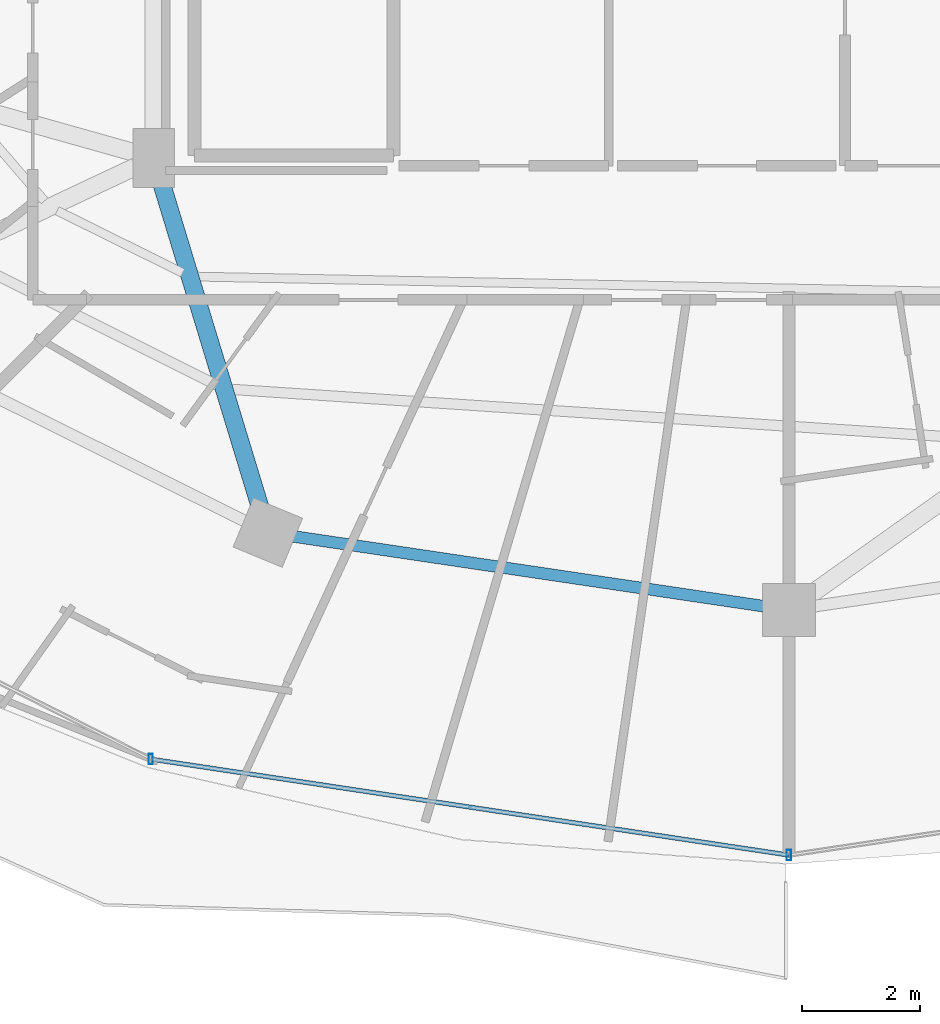
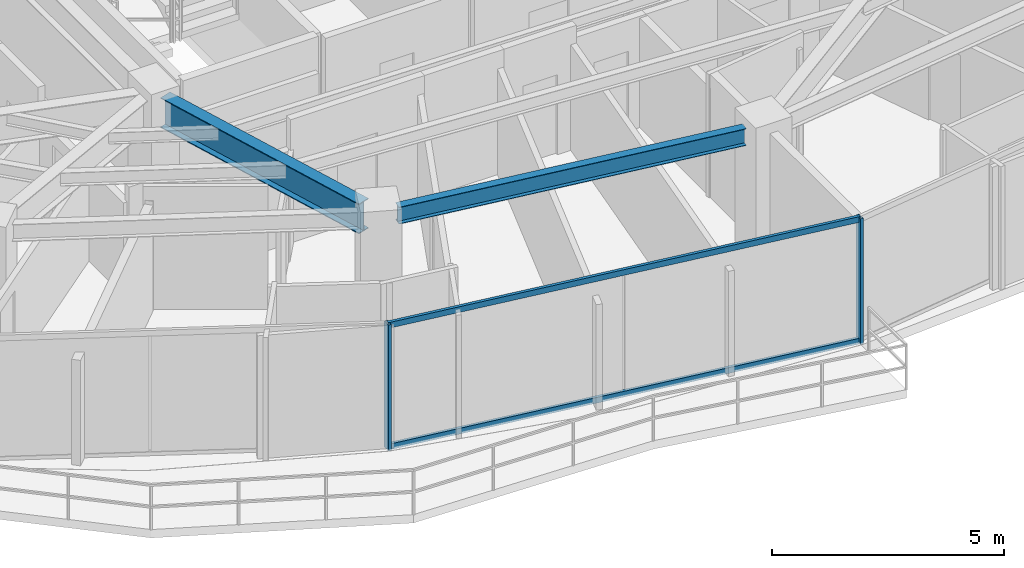
# One storey, part 5 of 34: 4 members, 2 beams, 1 element without a shape of its own.
"""IFC4 building model written with IfcOpenShell, lengths in metres."""

import ifcopenshell
import ifcopenshell.guid

model = None  # the IFC model being written
_history = None  # IfcOwnerHistory: only IFC2X3 demands one
_inside = {}  # id of a spatial element -> (the spatial element, [elements in it])
_under = {}  # id of a project, library or spatial element -> (it, [spatial elements below it])
_declared = {}  # id of a project -> (the project, [libraries it declares])
_typed = {}  # id of a type object -> (the type object, [elements of that type])
_made_of = {}  # id of a material, layer set ... -> (it, [elements and type objects made of it])


def new_model(schema):
    """Start an empty IFC model of exactly this schema.

    Asked for "IFC4X3", IfcOpenShell would pick the latest addendum, in which some entities
    have other attributes; the version numbers below select the first issue.
    IFC2X3 requires an IfcOwnerHistory on every rooted entity: one is made here for all.
    """
    global model, _history
    if schema == "IFC4X3":
        model = ifcopenshell.file(schema_version=(4, 3, 0, 0))
    else:
        model = ifcopenshell.file(schema=schema)
    _inside.clear()
    _under.clear()
    _declared.clear()
    _typed.clear()
    _made_of.clear()
    _history = None
    if model.schema == "IFC2X3":
        org = make("IfcOrganization", Name="unknown")
        user = make(
            "IfcPersonAndOrganization",
            ThePerson=make("IfcPerson", FamilyName="unknown"),
            TheOrganization=org,
        )
        app = make(
            "IfcApplication",
            ApplicationDeveloper=org,
            Version="unknown",
            ApplicationFullName="unknown",
            ApplicationIdentifier="unknown",
        )
        _history = make(
            "IfcOwnerHistory",
            OwningUser=user,
            OwningApplication=app,
            ChangeAction="ADDED",
            CreationDate=0,
        )
    return model


def make(cls, **values):
    """One entity of the class cls with the attributes given. An attribute that is None is left unset."""
    return model.create_entity(
        cls, **{name: value for name, value in values.items() if value is not None}
    )


def rooted(cls, **values):
    """An entity with a GlobalId (a new one), such as an element, a storey or a relation."""
    return make(cls, GlobalId=ifcopenshell.guid.new(), OwnerHistory=_history, **values)


def si_unit(unit_type, name, prefix=None):
    """IfcSIUnit, for example si_unit("LENGTHUNIT", "METRE", prefix="MILLI")."""
    return make("IfcSIUnit", UnitType=unit_type, Prefix=prefix, Name=name)


def assignment(units):
    """IfcUnitAssignment: the units of a project."""
    return None if units is None else make("IfcUnitAssignment", Units=units)


def point(xyz):
    """IfcCartesianPoint."""
    return None if xyz is None else make("IfcCartesianPoint", Coordinates=xyz)


def direction(xyz):
    """IfcDirection."""
    return None if xyz is None else make("IfcDirection", DirectionRatios=xyz)


def frame(location, z_axis=None, x_axis=None):
    """IfcAxis2Placement3D, a coordinate frame: its origin and axes. An axis left out is left unset."""
    return make(
        "IfcAxis2Placement3D",
        Location=point(location),
        Axis=direction(z_axis),
        RefDirection=direction(x_axis),
    )


def frame_2d(location, x_axis=None):
    """IfcAxis2Placement2D, a coordinate frame in the plane: its origin and x axis."""
    return make(
        "IfcAxis2Placement2D", Location=point(location), RefDirection=direction(x_axis)
    )


def origin():
    """The frame at (0, 0, 0) with its axes left unset."""
    return frame((0.0, 0.0, 0.0))


def origin_2d():
    """The frame at (0, 0) in the plane with its x axis left unset."""
    return frame_2d((0.0, 0.0))


def place(relative_to, where):
    """IfcLocalPlacement: puts the frame where relative to a parent placement (None: the world)."""
    return make(
        "IfcLocalPlacement", PlacementRelTo=relative_to, RelativePlacement=where
    )


def context(
    kind, dimensions, precision=None, world=None, true_north=None, identifier=None
):
    """IfcGeometricRepresentationContext, for example the 3D "Model" context."""
    return make(
        "IfcGeometricRepresentationContext",
        ContextIdentifier=identifier,
        ContextType=kind,
        CoordinateSpaceDimension=dimensions,
        Precision=precision,
        WorldCoordinateSystem=world,
        TrueNorth=true_north,
    )


def subcontext(parent, identifier, kind, view, scale=None):
    """IfcGeometricRepresentationSubContext, for example "Body" below "Model"."""
    return make(
        "IfcGeometricRepresentationSubContext",
        ContextIdentifier=identifier,
        ContextType=kind,
        ParentContext=parent,
        TargetScale=scale,
        TargetView=view,
    )


def project(units=None, contexts=None):
    """IfcProject with its units and contexts."""
    return rooted(
        "IfcProject",
        Name="project",
        RepresentationContexts=contexts,
        UnitsInContext=assignment(units),
    )


def spatial(cls, under=None, at=None, **own):
    """A site, building, storey or space (cls), placed at a placement, below another one or the project."""
    s = rooted(cls, ObjectPlacement=at, **own)
    if under is not None:
        _under.setdefault(under.id(), (under, []))[1].append(s)
    return s


def profile(cls, at=None, kind="AREA", **sizes):
    """A parametric profile (cls). Its sizes go by their IFC names, for example OverallWidth=200.0."""
    return make(cls, ProfileType=kind, Position=at, **sizes)


def hollow_rectangle(**sizes):
    """IfcRectangleHollowProfileDef."""
    return profile("IfcRectangleHollowProfileDef", **sizes)


def i_section(**sizes):
    """IfcIShapeProfileDef."""
    return profile("IfcIShapeProfileDef", **sizes)


def extrude(swept, where, along, depth):
    """IfcExtrudedAreaSolid: the profile swept, set in the frame where, extruded along a direction by depth."""
    return make(
        "IfcExtrudedAreaSolid",
        SweptArea=swept,
        Position=where,
        ExtrudedDirection=direction(along),
        Depth=depth,
    )


def shape(context_of_items, identifier, shape_type, items):
    """IfcShapeRepresentation: the items that make up one representation, for example the "Body"."""
    return make(
        "IfcShapeRepresentation",
        ContextOfItems=context_of_items,
        RepresentationIdentifier=identifier,
        RepresentationType=shape_type,
        Items=items,
    )


def material(Name=None, Category=None):
    """IfcMaterial."""
    return make("IfcMaterial", Name=Name, Category=Category)


def material_profile(
    of_material, cross_section, Name=None, Category=None, Priority=None
):
    """IfcMaterialProfile: a cross section and its material."""
    return make(
        "IfcMaterialProfile",
        Name=Name,
        Material=of_material,
        Profile=cross_section,
        Priority=Priority,
        Category=Category,
    )


def profile_set(profiles, Name=None, composite=None):
    """IfcMaterialProfileSet."""
    return make(
        "IfcMaterialProfileSet",
        Name=Name,
        MaterialProfiles=profiles,
        CompositeProfile=composite,
    )


def made_of(thing, what):
    """Note that an element or type object is made of a material, layer set ...; save() writes the relation."""
    if what is not None:
        _made_of.setdefault(what.id(), (what, []))[1].append(thing)
    return thing


def type_object(cls, material=None, **own):
    """A type object (cls), such as IfcWallType, which elements share."""
    return made_of(rooted(cls, **own), material)


def element(
    cls,
    number,
    at=None,
    inside=None,
    cuts=None,
    type_object=None,
    material=None,
    context=None,
    identifier="Body",
    shape_type=None,
    held_by="IfcProductDefinitionShape",
    body=None,
    shapes=None,
    **own,
):
    """One element of the class cls, such as IfcWall. Its Tag is "e" and its number.

    at: its placement. inside: the storey or other place that contains it. cuts: it is an
    opening in that element (IfcRelVoidsElement). A single representation is given by context,
    identifier, shape_type and body (its items); several are given by shapes. held_by: the class
    of the entity that holds the representations. save() writes the other relations.
    """
    e = rooted(cls, Tag="e%d" % number, ObjectPlacement=at, **own)
    if body is not None:
        shapes = [shape(context, identifier, shape_type, body)]
    if shapes is not None:
        e.Representation = make(held_by, Representations=shapes)
    if inside is not None:
        _inside.setdefault(inside.id(), (inside, []))[1].append(e)
    if cuts is not None:
        rooted(
            "IfcRelVoidsElement", RelatingBuildingElement=cuts, RelatedOpeningElement=e
        )
    if type_object is not None:
        _typed.setdefault(type_object.id(), (type_object, []))[1].append(e)
    return made_of(e, material)


def aggregate(whole, parts):
    """IfcRelAggregates: a whole, such as a stair, and the parts it consists of."""
    return rooted("IfcRelAggregates", RelatingObject=whole, RelatedObjects=parts)


def save(model, path):
    """Write the relations noted so far, then the file.

    IfcRelAggregates (storeys below a building ...), IfcRelContainedInSpatialStructure (elements
    in a storey), IfcRelDefinesByType, IfcRelAssociatesMaterial and IfcRelDeclares: one each for
    every whole, place, type object, material and project.
    """
    for whole, parts in _under.values():
        aggregate(whole, parts)
    for where, things in _inside.values():
        rooted(
            "IfcRelContainedInSpatialStructure",
            RelatedElements=things,
            RelatingStructure=where,
        )
    for kind, things in _typed.values():
        rooted("IfcRelDefinesByType", RelatedObjects=things, RelatingType=kind)
    for what, things in _made_of.values():
        rooted("IfcRelAssociatesMaterial", RelatedObjects=things, RelatingMaterial=what)
    for by, libraries in _declared.values():
        rooted("IfcRelDeclares", RelatingContext=by, RelatedDefinitions=libraries)
    model.write(path)


model = new_model("IFC4")

# Units and contexts
model_context = context("Model", 3, precision=1e-05, world=origin(), true_north=direction((0.0, 1.0)))
body_context = subcontext(model_context, "Body", "Model", "MODEL_VIEW")
ifc_project = project(units=[si_unit("LENGTHUNIT", "METRE"), si_unit("AREAUNIT", "SQUARE_METRE"), si_unit("VOLUMEUNIT", "CUBIC_METRE"), si_unit("PLANEANGLEUNIT", "RADIAN"), si_unit("MASSUNIT", "GRAM", prefix="KILO")], contexts=[model_context])

# Site, building, storey
site_placement = place(None, origin())
site = spatial("IfcSite", under=ifc_project, at=site_placement, CompositionType="ELEMENT")
building_placement = place(site_placement, origin())
building = spatial("IfcBuilding", under=site, at=building_placement, Name="Vorneva Point Tower", CompositionType="ELEMENT")
storey_placement = place(building_placement, frame((0.0, 0.0, 186.10009765625)))
storey = spatial("IfcBuildingStorey", under=building, at=storey_placement, Name="L50", CompositionType="ELEMENT", Elevation=186.10009765625)

# Beams
ifc_material_1 = material(Name="Steel S355", Category="steel")
ifc_material_profile_1 = material_profile(ifc_material_1, i_section(OverallWidth=0.300048828125, OverallDepth=0.7880859375, WebThickness=0.014404296875, FlangeThickness=0.02197265625, at=origin_2d()), Name="80Sh1")
ifc_profile_set_1 = profile_set([ifc_material_profile_1], Name="Steel S355")
beam_type_1 = type_object("IfcBeamType", Name="BM-GRD-80Sh1", PredefinedType="USERDEFINED", material=ifc_profile_set_1)
beam_1_placement = place(storey_placement, frame((29.051513671875, 10.5283203125, 2.845947265625), z_axis=(-0.291025429135, 0.956715317948, 0.0), x_axis=(-0.956715317948, -0.291025429135, 0.0)))
element("IfcBeam", 1, at=beam_1_placement, inside=storey, type_object=beam_type_1, Name="L50 Radial Primary Girder 12", ObjectType="GIRDER", PredefinedType="USERDEFINED", context=body_context, shape_type="SweptSolid", body=[
    extrude(i_section(OverallWidth=0.300048828125, OverallDepth=0.7880859375, WebThickness=0.014404296875, FlangeThickness=0.02197265625, at=origin_2d()), origin(), (0.0, 0.0, 1.0), 5.849609375),
])
ifc_material_profile_2 = material_profile(ifc_material_1, i_section(OverallWidth=0.198974609375, OverallDepth=0.446044921875, WebThickness=0.008056640625, FlangeThickness=0.011962890625, at=origin_2d()), Name="45B1")
ifc_profile_set_2 = profile_set([ifc_material_profile_2], Name="Steel S355")
beam_type_2 = type_object("IfcBeamType", Name="BM-SPN-45B1", PredefinedType="SPANDREL", material=ifc_profile_set_2)
beam_2_placement = place(storey_placement, frame((29.609375, 10.04541015625, 3.016845703125), z_axis=(0.989165476332, -0.146804837907, 0.0), x_axis=(0.146804837907, 0.989165476332, 0.0)))
element("IfcBeam", 2, at=beam_2_placement, inside=storey, type_object=beam_type_2, Name="L50 Perimeter Spandrel Ring Beam 12", PredefinedType="SPANDREL", context=body_context, shape_type="SweptSolid", body=[
    extrude(i_section(OverallWidth=0.198974609375, OverallDepth=0.446044921875, WebThickness=0.008056640625, FlangeThickness=0.011962890625, at=origin_2d()), origin(), (0.0, 0.0, 1.0), 8.04736328125),
])

# Curtain wall, members
ifc_material_2 = material(Name="Pale anodised aluminium", Category="aluminium")
curtain_wall_type = type_object("IfcCurtainWallType", Name="CW-RES-SYS", PredefinedType="NOTDEFINED", material=ifc_material_2)
curtain_wall_placement = place(storey_placement, origin())
curtain_wall = element("IfcCurtainWall", 3, at=curtain_wall_placement, inside=storey, type_object=curtain_wall_type, Name="L50 Unitised Curtain Wall CW-L50-R03", PredefinedType="NOTDEFINED")
ifc_material_profile_3 = material_profile(ifc_material_2, hollow_rectangle(XDim=0.074951171875, YDim=0.179931640625, WallThickness=0.00390625, at=origin_2d()), Name="AL-MUL 180x75x4")
ifc_profile_set_3 = profile_set([ifc_material_profile_3], Name="Pale anodised aluminium")
member_type_1 = type_object("IfcMemberType", Name="CW-MUL-180", PredefinedType="MULLION", material=ifc_profile_set_3)
member_1_placement = place(storey_placement, frame((27.19677734375, 6.275146484375, -0.0400390625), z_axis=(0.0, 0.0, 1.0), x_axis=(1.0, 0.0, 0.0)))
member_1 = element("IfcMember", 4, at=member_1_placement, type_object=member_type_1, Name="CW-L50-R03 Mullion 03", PredefinedType="MULLION", context=body_context, shape_type="SweptSolid", body=[
    extrude(hollow_rectangle(XDim=0.074951171875, YDim=0.179931640625, WallThickness=0.00390625, at=origin_2d()), origin(), (0.0, 0.0, 1.0), 3.31005859375),
])
member_2_placement = place(storey_placement, frame((38.0, 4.64990234375, -0.0400390625), z_axis=(0.0, 0.0, 1.0), x_axis=(1.0, 0.0, 0.0)))
member_2 = element("IfcMember", 5, at=member_2_placement, type_object=member_type_1, Name="CW-L50-R03 Mullion 04", PredefinedType="MULLION", context=body_context, shape_type="SweptSolid", body=[
    extrude(hollow_rectangle(XDim=0.074951171875, YDim=0.179931640625, WallThickness=0.00390625, at=origin_2d()), origin(), (0.0, 0.0, 1.0), 3.31005859375),
])
ifc_material_profile_4 = material_profile(ifc_material_2, hollow_rectangle(XDim=0.074951171875, YDim=0.14990234375, WallThickness=0.00390625, at=origin_2d()), Name="AL-TRN 150x75x4")
ifc_profile_set_4 = profile_set([ifc_material_profile_4], Name="Pale anodised aluminium")
member_type_2 = type_object("IfcMemberType", Name="CW-TRN-150", PredefinedType="USERDEFINED", material=ifc_profile_set_4)
member_3_placement = place(storey_placement, frame((27.19677734375, 6.275146484375, 0.02001953125), z_axis=(0.988872333273, -0.148766624239, 0.0), x_axis=(0.148766624239, 0.988872333273, 0.0)))
member_3 = element("IfcMember", 6, at=member_3_placement, type_object=member_type_2, Name="CW-L50-R03 Transom 03.1", ObjectType="TRANSOM", PredefinedType="USERDEFINED", context=body_context, shape_type="SweptSolid", body=[
    extrude(hollow_rectangle(XDim=0.074951171875, YDim=0.14990234375, WallThickness=0.00390625, at=origin_2d()), origin(), (0.0, 0.0, 1.0), 10.9248046875),
])
member_4_placement = place(storey_placement, frame((27.19677734375, 6.275146484375, 3.219970703125), z_axis=(0.988872333273, -0.148766624239, 0.0), x_axis=(0.148766624239, 0.988872333273, 0.0)))
member_4 = element("IfcMember", 7, at=member_4_placement, type_object=member_type_2, Name="CW-L50-R03 Transom 03.2", ObjectType="TRANSOM", PredefinedType="USERDEFINED", context=body_context, shape_type="SweptSolid", body=[
    extrude(hollow_rectangle(XDim=0.074951171875, YDim=0.14990234375, WallThickness=0.00390625, at=origin_2d()), origin(), (0.0, 0.0, 1.0), 10.9248046875),
])
aggregate(curtain_wall, [member_1, member_2, member_3, member_4])

save(model, "model.ifc")
